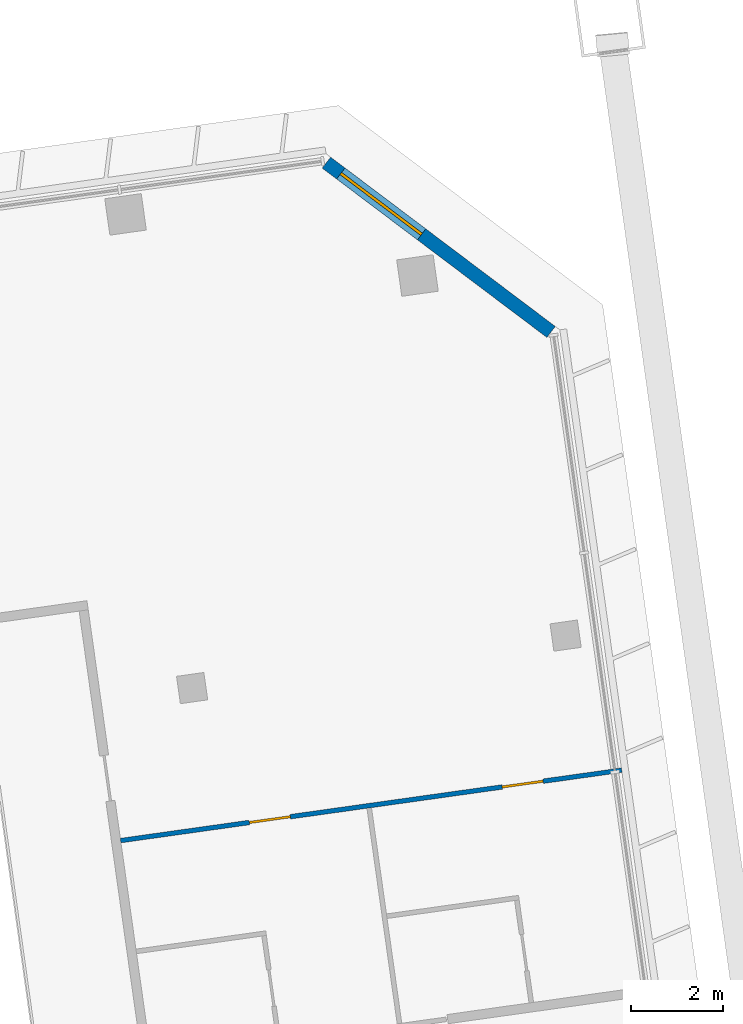
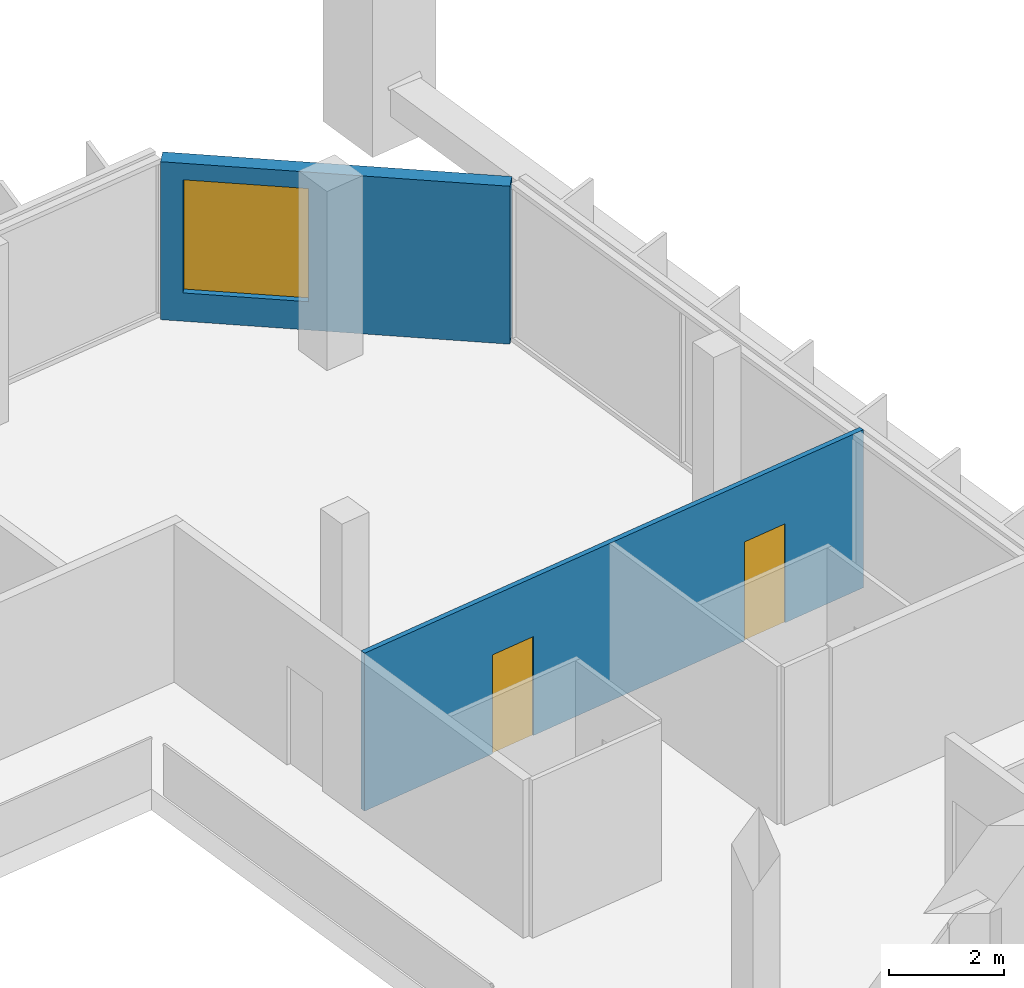
# One storey, part 24 of 31: 2 doors, 2 walls, 1 window, 3 openings.
"""IFC4 building model written with IfcOpenShell, lengths in metres."""

from ifc_helpers import new_model, si_unit, direction, frame, frame_2d, origin, place, context, subcontext, project, spatial, rectangle, extrude, material, layer, layer_set, type_object, element, fill, save


model = new_model("IFC4")

# Units and contexts
model_context = context("Model", 3, precision=1e-05, world=origin(), true_north=direction((0.0, 1.0)))
body_context = subcontext(model_context, "Body", "Model", "MODEL_VIEW")
ifc_project = project(units=[si_unit("LENGTHUNIT", "METRE"), si_unit("AREAUNIT", "SQUARE_METRE"), si_unit("VOLUMEUNIT", "CUBIC_METRE"), si_unit("PLANEANGLEUNIT", "RADIAN"), si_unit("MASSUNIT", "GRAM", prefix="KILO")], contexts=[model_context])

# Site, building, storey
site_placement = place(None, origin())
site = spatial("IfcSite", under=ifc_project, at=site_placement, CompositionType="ELEMENT")
building_placement = place(site_placement, origin())
building = spatial("IfcBuilding", under=site, at=building_placement, Name="Mirante Cascada Hotel Towers", CompositionType="ELEMENT")
storey_placement = place(building_placement, frame((0.0, 0.0, 157.4)))
storey = spatial("IfcBuildingStorey", under=building, at=storey_placement, Name="L36", CompositionType="ELEMENT", Elevation=157.4)

# Wall, openings, doors
ifc_material_1 = material(Name="Plasterboard on metal studs")
ifc_layer_1 = layer(ifc_material_1, 0.1)
ifc_layer_set_1 = layer_set([ifc_layer_1], Name="Partition 100")
wall_type_1 = type_object("IfcWallType", Name="Partition 100", PredefinedType="PARTITIONING", material=ifc_layer_set_1)
wall_1_placement = place(storey_placement, frame((80.8213, 10.0233, 0.0), z_axis=(0.0, 0.0, 1.0), x_axis=(0.990268, 0.1391733, 0.0)))
wall_1 = element("IfcWall", 1, at=wall_1_placement, inside=storey, type_object=wall_type_1, Name="Wall 2-L36-15", PredefinedType="PARTITIONING", context=body_context, shape_type="SweptSolid", body=[
    extrude(rectangle(XDim=11.0, YDim=0.1, at=frame_2d((5.5, 0.0))), origin(), (0.0, 0.0, 1.0), 3.35),
])
opening_1_placement = place(wall_1_placement, frame((2.825, 0.0, 0.0)))
opening_1 = element("IfcOpeningElement", 2, at=opening_1_placement, cuts=wall_1, Name="Opening D2-L36-03", PredefinedType="OPENING", context=body_context, shape_type="SweptSolid", body=[
    extrude(rectangle(XDim=0.9, YDim=2.1, at=frame_2d((0.45, 1.05))), frame((0.0, 0.05, 0.0), z_axis=(0.0, -1.0, 0.0), x_axis=(1.0, 0.0, 0.0)), (0.0, 0.0, 1.0), 0.1),
])
opening_2_placement = place(wall_1_placement, frame((8.375, 0.0, 0.0)))
opening_2 = element("IfcOpeningElement", 3, at=opening_2_placement, cuts=wall_1, Name="Opening D2-L36-04", PredefinedType="OPENING", context=body_context, shape_type="SweptSolid", body=[
    extrude(rectangle(XDim=0.9, YDim=2.1, at=frame_2d((0.45, 1.05))), frame((0.0, 0.05, 0.0), z_axis=(0.0, -1.0, 0.0), x_axis=(1.0, 0.0, 0.0)), (0.0, 0.0, 1.0), 0.1),
])
ifc_material_2 = material(Name="Timber door leaf", Category="wood")
door_type = type_object("IfcDoorType", Name="Room door DG3 900x2100", OperationType="SINGLE_SWING_LEFT", PredefinedType="DOOR", material=ifc_material_2)
door_1_placement = place(opening_1_placement, origin())
door_1 = element("IfcDoor", 4, at=door_1_placement, inside=storey, type_object=door_type, Name="Door D2-L36-03", OperationType="SINGLE_SWING_LEFT", OverallHeight=2.1, OverallWidth=0.9, PredefinedType="DOOR", context=body_context, shape_type="SweptSolid", body=[
    extrude(rectangle(XDim=0.9, YDim=2.1, at=frame_2d((0.45, 1.05))), frame((0.0, 0.025, 0.0), z_axis=(0.0, -1.0, 0.0), x_axis=(1.0, 0.0, 0.0)), (0.0, 0.0, 1.0), 0.05),
])
fill(opening_1, door_1)
door_2_placement = place(opening_2_placement, origin())
door_2 = element("IfcDoor", 5, at=door_2_placement, inside=storey, type_object=door_type, Name="Door D2-L36-04", OperationType="SINGLE_SWING_LEFT", OverallHeight=2.1, OverallWidth=0.9, PredefinedType="DOOR", context=body_context, shape_type="SweptSolid", body=[
    extrude(rectangle(XDim=0.9, YDim=2.1, at=frame_2d((0.45, 1.05))), frame((0.0, 0.025, 0.0), z_axis=(0.0, -1.0, 0.0), x_axis=(1.0, 0.0, 0.0)), (0.0, 0.0, 1.0), 0.05),
])
fill(opening_2, door_2)

# Wall, opening, window
ifc_material_3 = material(Name="Precast concrete C40/50", Category="concrete")
ifc_layer_2 = layer(ifc_material_3, 0.3)
ifc_layer_set_2 = layer_set([ifc_layer_2], Name="Precast concrete C40/50 cladding wall 300")
wall_type_2 = type_object("IfcWallType", Name="Precast concrete C40/50 cladding wall 300", PredefinedType="STANDARD", material=ifc_layer_set_2)
wall_2_placement = place(storey_placement, frame((90.1795, 21.0817, 0.0), z_axis=(0.0, 0.0, 1.0), x_axis=(-0.7986362, 0.6018141, 0.0)))
wall_2 = element("IfcWall", 6, at=wall_2_placement, inside=storey, type_object=wall_type_2, Name="Corner cladding wall T2 L36 outer front", PredefinedType="STANDARD", context=body_context, shape_type="SweptSolid", body=[
    extrude(rectangle(XDim=6.1157, YDim=0.3, at=frame_2d((3.0578, 0.0))), origin(), (0.0, 0.0, 1.0), 3.35),
])
opening_3_placement = place(wall_2_placement, frame((3.5243, 0.0, 0.6)))
opening_3 = element("IfcOpeningElement", 7, at=opening_3_placement, cuts=wall_2, Name="Opening W2-36-02", PredefinedType="OPENING", context=body_context, shape_type="SweptSolid", body=[
    extrude(rectangle(XDim=2.2, YDim=2.4, at=frame_2d((1.1, 1.2))), frame((0.0, 0.15, 0.0), z_axis=(0.0, -1.0, 0.0), x_axis=(1.0, 0.0, 0.0)), (0.0, 0.0, 1.0), 0.3),
])
ifc_material_4 = material(Name="Aluminium frame with clear double glazing", Category="aluminium")
window_type = type_object("IfcWindowType", Name="Corner suite window 2200x2400", PartitioningType="DOUBLE_PANEL_VERTICAL", PredefinedType="WINDOW", material=ifc_material_4)
window_placement = place(opening_3_placement, origin())
window = element("IfcWindow", 8, at=window_placement, inside=storey, type_object=window_type, Name="Window W2-36-02", OverallHeight=2.4, OverallWidth=2.2, PartitioningType="SINGLE_PANEL", PredefinedType="WINDOW", context=body_context, shape_type="SweptSolid", body=[
    extrude(rectangle(XDim=2.2, YDim=2.4, at=frame_2d((1.1, 1.2))), frame((0.0, 0.03, 0.0), z_axis=(0.0, -1.0, 0.0), x_axis=(1.0, 0.0, 0.0)), (0.0, 0.0, 1.0), 0.06),
])
fill(opening_3, window)

save(model, "model.ifc")
